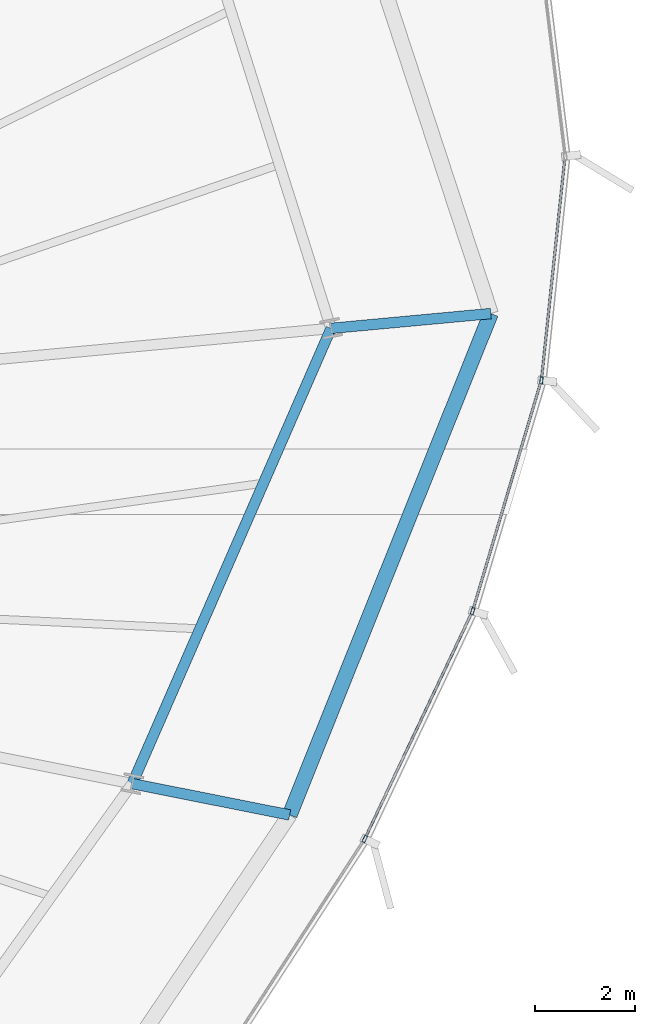
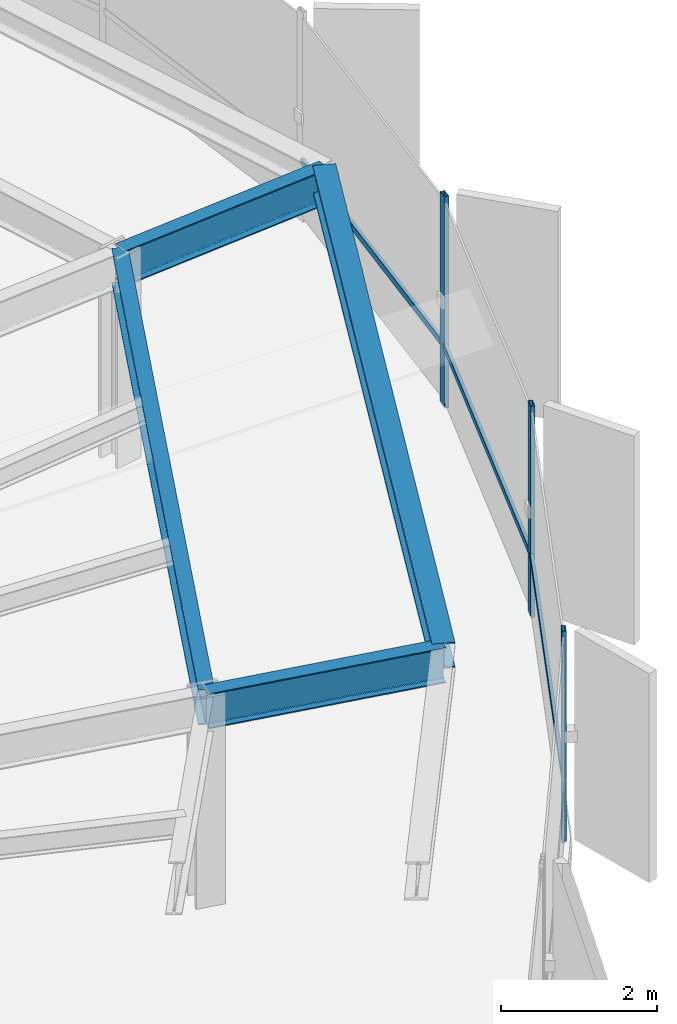
# One storey, part 16 of 32: 6 members, 4 beams, 1 element without a shape of its own.
"""IFC4 building model written with IfcOpenShell, lengths in metres."""

from ifc_helpers import new_model, si_unit, direction, frame, origin, origin_2d, place, context, subcontext, project, spatial, hollow_rectangle, i_section, extrude, source, transform, mapped, material, layer, layer_set, material_profile, profile_set, type_object, element, aggregate, save


model = new_model("IFC4")

# Units and contexts
model_context = context("Model", 3, precision=1e-05, world=origin(), true_north=direction((0.0, 1.0)))
body_context = subcontext(model_context, "Body", "Model", "MODEL_VIEW")
ifc_project = project(units=[si_unit("LENGTHUNIT", "METRE"), si_unit("AREAUNIT", "SQUARE_METRE"), si_unit("VOLUMEUNIT", "CUBIC_METRE"), si_unit("PLANEANGLEUNIT", "RADIAN"), si_unit("MASSUNIT", "GRAM", prefix="KILO"), si_unit("THERMODYNAMICTEMPERATUREUNIT", "KELVIN")], contexts=[model_context])

# Site, building, storey
site_placement = place(None, origin())
site = spatial("IfcSite", under=ifc_project, at=site_placement, CompositionType="ELEMENT")
building_placement = place(site_placement, origin())
building = spatial("IfcBuilding", under=site, at=building_placement, Name="Kethvar Cultural Tower", CompositionType="ELEMENT")
storey_placement = place(building_placement, frame((0.0, 0.0, 157.199951171875)))
storey = spatial("IfcBuildingStorey", under=building, at=storey_placement, Name="L40", CompositionType="ELEMENT", Elevation=157.199951171875)

# Beams
ifc_material_1 = material(Name="Steel S355J2", Category="steel")
ifc_material_profile_1 = material_profile(ifc_material_1, i_section(OverallWidth=0.2099609375, OverallDepth=0.550048828125, WebThickness=0.010986328125, FlangeThickness=0.01708984375, FilletRadius=0.02392578125, at=origin_2d()), Name="Steel S355J2 — IPE550")
ifc_profile_set_1 = profile_set([ifc_material_profile_1], Name="Steel S355J2 — IPE550")
beam_type_1 = type_object("IfcBeamType", Name="BM-IPE550", PredefinedType="BEAM", material=ifc_profile_set_1)
shared_shape_1 = source(origin(), body_context, "Body", "SweptSolid", [
    extrude(i_section(OverallWidth=0.2099609375, OverallDepth=0.550048828125, WebThickness=0.010986328125, FlangeThickness=0.01708984375, FilletRadius=0.02392578125, at=origin_2d()), origin(), (0.0, 0.0, 1.0), 3.199951171875),
])
for number, where, z_axis, x_axis, name in (
    (1, (71.6025390625, 32.7333984375, 3.02294921875), (0.995729641608, 0.092317283453, 0.0), (-0.092317283453, 0.995729641608, 0.0), "L40 Perimeter Cantilever Beam RC-01"),
    (2, (67.638671875, 23.65478515625, 3.02294921875), (0.980785550224, -0.195088965533, 0.0), (0.195088965533, 0.980785550224, 0.0), "L40 Perimeter Cantilever Beam RC-16"),
):
    element("IfcBeam", number, at=place(storey_placement, frame(where, z_axis=z_axis, x_axis=x_axis)), inside=storey, type_object=beam_type_1, Name=name, PredefinedType="BEAM", context=body_context, shape_type="MappedRepresentation", body=[
        mapped(shared_shape_1, transform((0.0, 0.0, 0.0), scale=1.0)),
    ])
shared_shape_2 = source(origin(), body_context, "Body", "SweptSolid", [
    extrude(i_section(OverallWidth=0.2099609375, OverallDepth=0.550048828125, WebThickness=0.010986328125, FlangeThickness=0.01708984375, FilletRadius=0.02392578125, at=origin_2d()), origin(), (0.0, 0.0, 1.0), 9.90625),
])
beam_1_placement = place(storey_placement, frame((67.638671875, 23.65478515625, 3.02294921875), z_axis=(0.400138679026, 0.916454602011, 0.0), x_axis=(-0.916454602011, 0.400138679026, 0.0)))
element("IfcBeam", 3, at=beam_1_placement, inside=storey, type_object=beam_type_1, Name="L40 Column Ring Tie Beam CR-16", PredefinedType="BEAM", context=body_context, shape_type="MappedRepresentation", body=[
    mapped(shared_shape_2, transform((0.0, 0.0, 0.0), scale=1.0)),
])
ifc_material_profile_2 = material_profile(ifc_material_1, i_section(OverallWidth=0.300048828125, OverallDepth=0.39990234375, WebThickness=0.013427734375, FlangeThickness=0.02392578125, FilletRadius=0.027099609375, at=origin_2d()), Name="Steel S355J2 — HEB400")
ifc_profile_set_2 = profile_set([ifc_material_profile_2], Name="Steel S355J2 — HEB400")
beam_type_2 = type_object("IfcBeamType", Name="BM-SP400", PredefinedType="SPANDREL", material=ifc_profile_set_2)
shared_shape_3 = source(origin(), body_context, "Body", "SweptSolid", [
    extrude(i_section(OverallWidth=0.300048828125, OverallDepth=0.39990234375, WebThickness=0.013427734375, FlangeThickness=0.02392578125, FilletRadius=0.027099609375, at=origin_2d()), origin(), (0.0, 0.0, 1.0), 10.773193359375),
])
beam_2_placement = place(storey_placement, frame((70.777099609375, 23.030517578125, 3.09814453125), z_axis=(0.372382905959, 0.928079183771, 0.0), x_axis=(-0.928079183771, 0.372382905959, 0.0)))
element("IfcBeam", 4, at=beam_2_placement, inside=storey, type_object=beam_type_2, Name="L40 Perimeter Spandrel Beam SP-16", PredefinedType="SPANDREL", context=body_context, shape_type="MappedRepresentation", body=[
    mapped(shared_shape_3, transform((0.0, 0.0, 0.0), scale=1.0)),
])

# Curtain wall, members
ifc_material_2 = material(Name="Aluminium 6063-T6", Category="aluminium")
ifc_layer = layer(ifc_material_2, 0.179931640625, Name="Aluminium 6063-T6", Category="aluminium")
ifc_layer_set = layer_set([ifc_layer], Name="Aluminium 6063-T6 (180 mm)")
curtain_wall_type = type_object("IfcCurtainWallType", Name="CW-SYS-04-Z34", PredefinedType="NOTDEFINED", material=ifc_layer_set)
curtain_wall_placement = place(storey_placement, origin())
curtain_wall = element("IfcCurtainWall", 5, at=curtain_wall_placement, inside=storey, type_object=curtain_wall_type, Name="L40 Curtain Wall Run 06", PredefinedType="NOTDEFINED")
ifc_material_profile_3 = material_profile(ifc_material_2, hollow_rectangle(XDim=0.06005859375, YDim=0.139892578125, WallThickness=0.0048828125, at=origin_2d()), Name="Aluminium 6063-T6 — RHS140x60x5")
ifc_profile_set_3 = profile_set([ifc_material_profile_3], Name="Aluminium 6063-T6 — RHS140x60x5")
member_type_1 = type_object("IfcMemberType", Name="CW-SYS-04-Z34-MUL", PredefinedType="MULLION", material=ifc_profile_set_3)
shared_shape_4 = source(origin(), body_context, "Body", "SweptSolid", [
    extrude(hollow_rectangle(XDim=0.06005859375, YDim=0.139892578125, WallThickness=0.0048828125, at=origin_2d()), origin(), (0.0, 0.0, 1.0), 3.300048828125),
])
member_1_placement = place(storey_placement, frame((72.2734375, 22.55078125, 0.0), z_axis=(0.0, 0.0, 1.0), x_axis=(-0.903978099447, 0.427578759668, 0.0)))
member_1 = element("IfcMember", 6, at=member_1_placement, type_object=member_type_1, Name="CW-L40-R06 Mullion 2", PredefinedType="MULLION", context=body_context, shape_type="MappedRepresentation", body=[
    mapped(shared_shape_4, transform((0.0, 0.0, 0.0), scale=1.0)),
])
member_2_placement = place(storey_placement, frame((74.425048828125, 27.0966796875, 0.0), z_axis=(0.0, 0.0, 1.0), x_axis=(-0.95841227882, 0.285387287396, 0.0)))
member_2 = element("IfcMember", 7, at=member_2_placement, type_object=member_type_1, Name="CW-L40-R06 Mullion 3", PredefinedType="MULLION", context=body_context, shape_type="MappedRepresentation", body=[
    mapped(shared_shape_4, transform((0.0, 0.0, 0.0), scale=1.0)),
])
member_3_placement = place(storey_placement, frame((75.796630859375, 31.696533203125, 0.0), z_axis=(0.0, 0.0, 1.0), x_axis=(-0.994487177736, 0.104858253464, 0.0)))
member_3 = element("IfcMember", 8, at=member_3_placement, type_object=member_type_1, Name="CW-L40-R06 Mullion 4", PredefinedType="MULLION", context=body_context, shape_type="MappedRepresentation", body=[
    mapped(shared_shape_4, transform((0.0, 0.0, 0.0), scale=1.0)),
])
ifc_material_profile_4 = material_profile(ifc_material_2, hollow_rectangle(XDim=0.050048828125, YDim=0.10009765625, WallThickness=0.00390625, at=origin_2d()), Name="Aluminium 6063-T6 — RHS100x50x4")
ifc_profile_set_4 = profile_set([ifc_material_profile_4], Name="Aluminium 6063-T6 — RHS100x50x4")
member_type_2 = type_object("IfcMemberType", Name="CW-SYS-04-Z34-TRN", PredefinedType="USERDEFINED", material=ifc_profile_set_4)
shared_shape_5 = source(origin(), body_context, "Body", "SweptSolid", [
    extrude(hollow_rectangle(XDim=0.050048828125, YDim=0.10009765625, WallThickness=0.00390625, at=origin_2d()), origin(), (0.0, 0.0, 1.0), 4.429931640625),
])
member_4_placement = place(storey_placement, frame((75.801025390625, 31.739501953125, 0.949951171875), z_axis=(0.104876993005, 0.994485201669, 0.0), x_axis=(-0.994485201669, 0.104876993005, 0.0)))
member_4 = element("IfcMember", 9, at=member_4_placement, type_object=member_type_2, Name="CW-L40-R06 Transom 4", ObjectType="TRANSOM", PredefinedType="USERDEFINED", context=body_context, shape_type="MappedRepresentation", body=[
    mapped(shared_shape_5, transform((0.0, 0.0, 0.0), scale=1.0)),
])
shared_shape_6 = source(origin(), body_context, "Body", "SweptSolid", [
    extrude(hollow_rectangle(XDim=0.050048828125, YDim=0.10009765625, WallThickness=0.00390625, at=origin_2d()), origin(), (0.0, 0.0, 1.0), 4.733642578125),
])
member_5_placement = place(storey_placement, frame((74.437255859375, 27.13818359375, 0.949951171875), z_axis=(0.285364706487, 0.958419002468, 0.0), x_axis=(-0.958419002468, 0.285364706487, 0.0)))
member_5 = element("IfcMember", 10, at=member_5_placement, type_object=member_type_2, Name="CW-L40-R06 Transom 3", ObjectType="TRANSOM", PredefinedType="USERDEFINED", context=body_context, shape_type="MappedRepresentation", body=[
    mapped(shared_shape_6, transform((0.0, 0.0, 0.0), scale=1.0)),
])
shared_shape_7 = source(origin(), body_context, "Body", "SweptSolid", [
    extrude(hollow_rectangle(XDim=0.050048828125, YDim=0.10009765625, WallThickness=0.00390625, at=origin_2d()), origin(), (0.0, 0.0, 1.0), 4.9599609375),
])
member_6_placement = place(storey_placement, frame((72.291748046875, 22.58984375, 0.949951171875), z_axis=(0.427595393478, 0.903970231521, 0.0), x_axis=(-0.903970231521, 0.427595393478, 0.0)))
member_6 = element("IfcMember", 11, at=member_6_placement, type_object=member_type_2, Name="CW-L40-R06 Transom 2", ObjectType="TRANSOM", PredefinedType="USERDEFINED", context=body_context, shape_type="MappedRepresentation", body=[
    mapped(shared_shape_7, transform((0.0, 0.0, 0.0), scale=1.0)),
])
aggregate(curtain_wall, [member_1, member_2, member_3, member_6, member_5, member_4])

save(model, "model.ifc")
